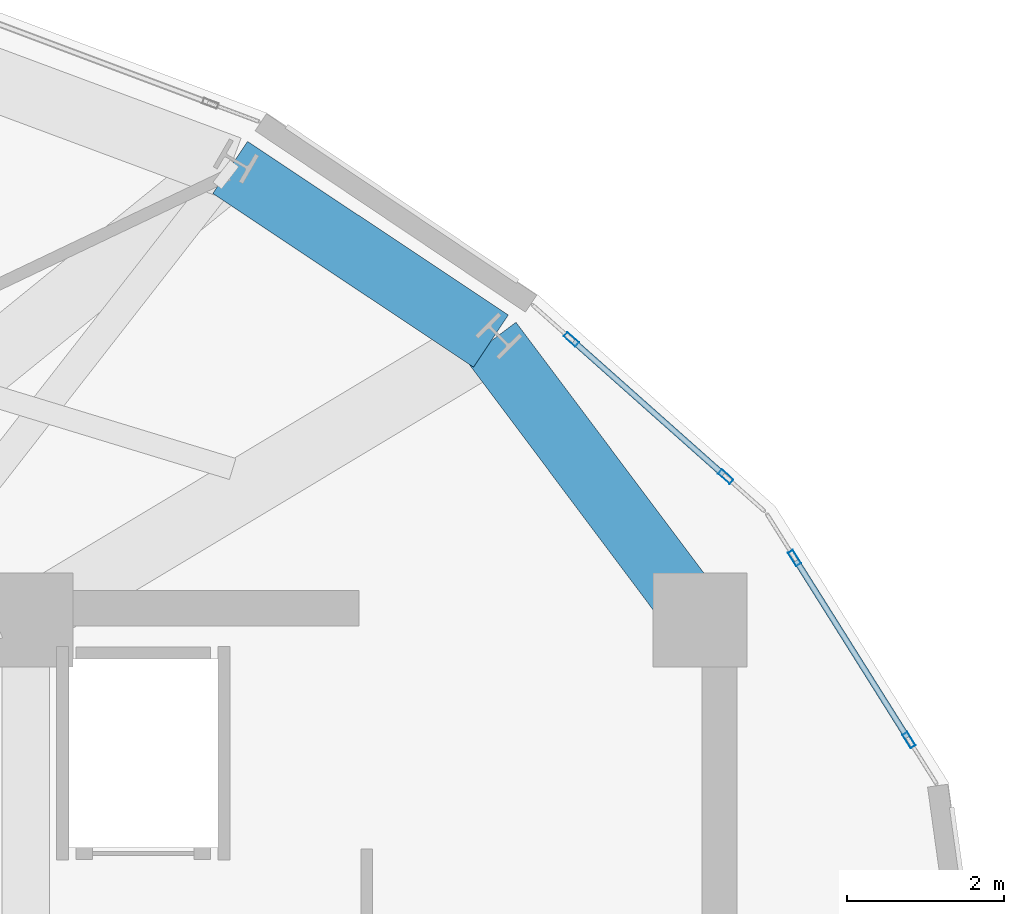
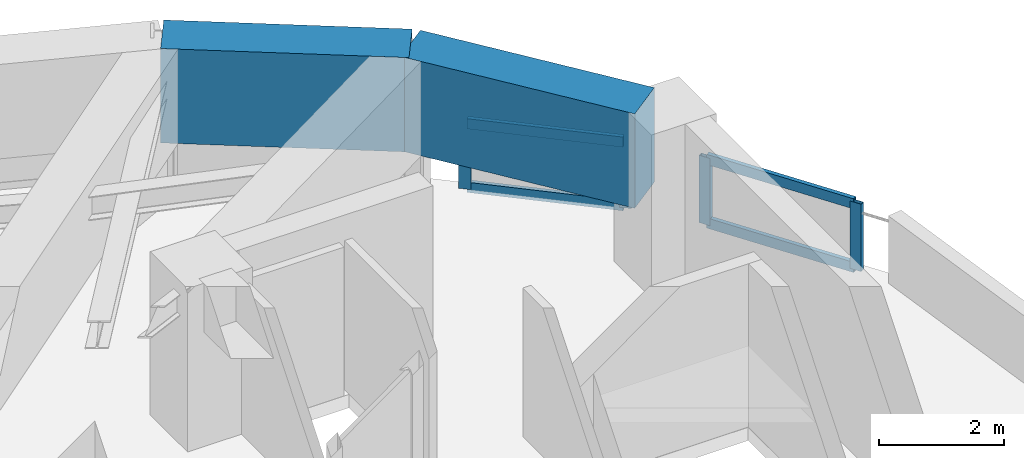
# One storey, part 11 of 17: 8 members, 2 beams, 2 elements without a shape of their own.
"""IFC4 building model written with IfcOpenShell, lengths in metres."""

from ifc_helpers import new_model, si_unit, direction, frame, origin, origin_2d, place, context, subcontext, project, spatial, rectangle, hollow_rectangle, extrude, material, layer, layer_set, material_profile, profile_set, type_object, element, aggregate, save


model = new_model("IFC4")

# Units and contexts
model_context = context("Model", 3, precision=1e-05, world=origin(), true_north=direction((0.0, 1.0)))
body_context = subcontext(model_context, "Body", "Model", "MODEL_VIEW")
ifc_project = project(units=[si_unit("LENGTHUNIT", "METRE"), si_unit("AREAUNIT", "SQUARE_METRE"), si_unit("VOLUMEUNIT", "CUBIC_METRE"), si_unit("PLANEANGLEUNIT", "RADIAN"), si_unit("MASSUNIT", "GRAM", prefix="KILO")], contexts=[model_context])

# Site, building, storey
site_placement = place(None, origin())
site = spatial("IfcSite", under=ifc_project, at=site_placement, CompositionType="ELEMENT")
building_placement = place(site_placement, origin())
building = spatial("IfcBuilding", under=site, at=building_placement, Name="Solvane Sanctuary Tower", CompositionType="ELEMENT")
storey_placement = place(building_placement, frame((0.0, 0.0, 270.0)))
storey = spatial("IfcBuildingStorey", under=building, at=storey_placement, Name="L82", CompositionType="ELEMENT", Elevation=270.0)

# Beams
ifc_material_1 = material(Name="Concrete C70/85", Category="concrete")
ifc_material_profile_1 = material_profile(ifc_material_1, rectangle(XDim=0.800048828125, YDim=1.85009765625, at=origin_2d()), Name="RC800X1850")
ifc_profile_set_1 = profile_set([ifc_material_profile_1], Name="Concrete C70/85")
beam_type = type_object("IfcBeamType", Name="Beam B-XFER-BLK RC800X1850", PredefinedType="BEAM", material=ifc_profile_set_1)
beam_1_placement = place(storey_placement, frame((42.7080078125, 35.972900390625, 2.27490234375), z_axis=(0.832388474479, -0.55419259067, 0.0), x_axis=(0.55419259067, 0.832388474479, 0.0)))
element("IfcBeam", 1, at=beam_1_placement, inside=storey, type_object=beam_type, Name="L82 Perimeter Step Transfer Ring NTC02-NTC01", PredefinedType="BEAM", context=body_context, shape_type="SweptSolid", body=[
    extrude(rectangle(XDim=0.800048828125, YDim=1.85009765625, at=origin_2d()), origin(), (0.0, 0.0, 1.0), 3.99658203125),
])
beam_2_placement = place(storey_placement, frame((46.03466796875, 33.758056640625, 2.27490234375), z_axis=(0.59952185293, -0.800358387136, 0.0), x_axis=(0.800358387136, 0.59952185293, 0.0)))
element("IfcBeam", 2, at=beam_2_placement, inside=storey, type_object=beam_type, Name="L82 Perimeter Step Transfer Ring NTC01-CE3", PredefinedType="BEAM", context=body_context, shape_type="SweptSolid", body=[
    extrude(rectangle(XDim=0.800048828125, YDim=1.85009765625, at=origin_2d()), origin(), (0.0, 0.0, 1.0), 4.085693359375),
])

# Curtain wall, members
ifc_material_2 = material(Name="Anodised Aluminium 6063-T6", Category="aluminium")
ifc_layer = layer(ifc_material_2, 0.219970703125, Name="Anodised Aluminium 6063-T6")
ifc_layer_set = layer_set([ifc_layer], Name="Anodised Aluminium 6063-T6")
curtain_wall_type = type_object("IfcCurtainWallType", Name="Curtain Wall CW-CROWN", PredefinedType="NOTDEFINED", material=ifc_layer_set)
curtain_wall_1_placement = place(storey_placement, origin())
curtain_wall_1 = element("IfcCurtainWall", 3, at=curtain_wall_1_placement, inside=storey, type_object=curtain_wall_type, Name="L82 Crown Fritted Lantern Curtain Wall 01", PredefinedType="NOTDEFINED")
ifc_material_profile_2 = material_profile(ifc_material_2, hollow_rectangle(XDim=0.074951171875, YDim=0.199951171875, WallThickness=0.00390625, at=origin_2d()), Name="ALU200X75X4")
ifc_profile_set_2 = profile_set([ifc_material_profile_2], Name="Anodised Aluminium 6063-T6")
member_type_1 = type_object("IfcMemberType", Name="Member M-CW-MUL-1 ALU200X75X4", PredefinedType="MULLION", material=ifc_profile_set_2)
member_1_placement = place(storey_placement, frame((51.367919921875, 28.66845703125, 0.0), z_axis=(0.0, 0.0, 1.0), x_axis=(-0.84660365243, -0.532223877416, 0.0)))
member_1 = element("IfcMember", 4, at=member_1_placement, type_object=member_type_1, Name="CW-CROWN mullion 1", PredefinedType="MULLION", context=body_context, shape_type="SweptSolid", body=[
    extrude(hollow_rectangle(XDim=0.074951171875, YDim=0.199951171875, WallThickness=0.00390625, at=origin_2d()), origin(), (0.0, 0.0, 1.0), 1.320068359375),
])
member_2_placement = place(storey_placement, frame((49.908203125, 30.990234375, 0.0), z_axis=(0.0, 0.0, 1.0), x_axis=(-0.84660365243, -0.532223877416, 0.0)))
member_2 = element("IfcMember", 5, at=member_2_placement, type_object=member_type_1, Name="CW-CROWN mullion 2", PredefinedType="MULLION", context=body_context, shape_type="SweptSolid", body=[
    extrude(hollow_rectangle(XDim=0.074951171875, YDim=0.199951171875, WallThickness=0.00390625, at=origin_2d()), origin(), (0.0, 0.0, 1.0), 1.320068359375),
])

curtain_wall_2_placement = place(storey_placement, origin())
curtain_wall_2 = element("IfcCurtainWall", 6, at=curtain_wall_2_placement, inside=storey, type_object=curtain_wall_type, Name="L82 Crown Fritted Lantern Curtain Wall 02", PredefinedType="NOTDEFINED")
member_3_placement = place(storey_placement, frame((49.028564453125, 32.029296875, 0.0), z_axis=(0.0, 0.0, 1.0), x_axis=(-0.664478434467, -0.747307440166, 0.0)))
member_3 = element("IfcMember", 7, at=member_3_placement, type_object=member_type_1, Name="CW-CROWN mullion 1", PredefinedType="MULLION", context=body_context, shape_type="SweptSolid", body=[
    extrude(hollow_rectangle(XDim=0.074951171875, YDim=0.199951171875, WallThickness=0.00390625, at=origin_2d()), origin(), (0.0, 0.0, 1.0), 1.320068359375),
])
member_4_placement = place(storey_placement, frame((47.060791015625, 33.77880859375, 0.0), z_axis=(0.0, 0.0, 1.0), x_axis=(-0.664478434467, -0.747307440166, 0.0)))
member_4 = element("IfcMember", 8, at=member_4_placement, type_object=member_type_1, Name="CW-CROWN mullion 2", PredefinedType="MULLION", context=body_context, shape_type="SweptSolid", body=[
    extrude(hollow_rectangle(XDim=0.074951171875, YDim=0.199951171875, WallThickness=0.00390625, at=origin_2d()), origin(), (0.0, 0.0, 1.0), 1.320068359375),
])

# Member
ifc_material_profile_3 = material_profile(ifc_material_2, hollow_rectangle(XDim=0.074951171875, YDim=0.199951171875, WallThickness=0.00390625, at=origin_2d()), Name="ALU200X75X4")
ifc_profile_set_3 = profile_set([ifc_material_profile_3], Name="Anodised Aluminium 6063-T6")
member_type_2 = type_object("IfcMemberType", Name="Member M-CW-TRN-2 ALU200X75X4", PredefinedType="USERDEFINED", material=ifc_profile_set_3)
member_5_placement = place(storey_placement, frame((51.347900390625, 28.7001953125, 0.03759765625), z_axis=(-0.532218404821, 0.846607092794, 0.0), x_axis=(-0.846607092794, -0.532218404821, 0.0)))
member_5 = element("IfcMember", 9, at=member_5_placement, type_object=member_type_2, Name="CW-CROWN transom 1.1", ObjectType="TRANSOM", PredefinedType="USERDEFINED", context=body_context, shape_type="SweptSolid", body=[
    extrude(hollow_rectangle(XDim=0.074951171875, YDim=0.199951171875, WallThickness=0.00390625, at=origin_2d()), origin(), (0.0, 0.0, 1.0), 2.66748046875),
])

member_6_placement = place(storey_placement, frame((51.347900390625, 28.7001953125, 1.282470703125), z_axis=(-0.532218404821, 0.846607092794, 0.0), x_axis=(-0.846607092794, -0.532218404821, 0.0)))
member_6 = element("IfcMember", 10, at=member_6_placement, type_object=member_type_2, Name="CW-CROWN transom 1.2", ObjectType="TRANSOM", PredefinedType="USERDEFINED", context=body_context, shape_type="SweptSolid", body=[
    extrude(hollow_rectangle(XDim=0.074951171875, YDim=0.199951171875, WallThickness=0.00390625, at=origin_2d()), origin(), (0.0, 0.0, 1.0), 2.66748046875),
])

aggregate(curtain_wall_1, [member_1, member_2, member_5, member_6])

member_7_placement = place(storey_placement, frame((49.00048828125, 32.05419921875, 0.03759765625), z_axis=(-0.747314526833, 0.664470464343, 0.0), x_axis=(-0.664470464343, -0.747314526833, 0.0)))
member_7 = element("IfcMember", 11, at=member_7_placement, type_object=member_type_2, Name="CW-CROWN transom 1.1", ObjectType="TRANSOM", PredefinedType="USERDEFINED", context=body_context, shape_type="SweptSolid", body=[
    extrude(hollow_rectangle(XDim=0.074951171875, YDim=0.199951171875, WallThickness=0.00390625, at=origin_2d()), origin(), (0.0, 0.0, 1.0), 2.55810546875),
])

member_8_placement = place(storey_placement, frame((49.00048828125, 32.05419921875, 1.282470703125), z_axis=(-0.747314526833, 0.664470464343, 0.0), x_axis=(-0.664470464343, -0.747314526833, 0.0)))
member_8 = element("IfcMember", 12, at=member_8_placement, type_object=member_type_2, Name="CW-CROWN transom 1.2", ObjectType="TRANSOM", PredefinedType="USERDEFINED", context=body_context, shape_type="SweptSolid", body=[
    extrude(hollow_rectangle(XDim=0.074951171875, YDim=0.199951171875, WallThickness=0.00390625, at=origin_2d()), origin(), (0.0, 0.0, 1.0), 2.55810546875),
])

aggregate(curtain_wall_2, [member_3, member_4, member_7, member_8])

save(model, "model.ifc")
